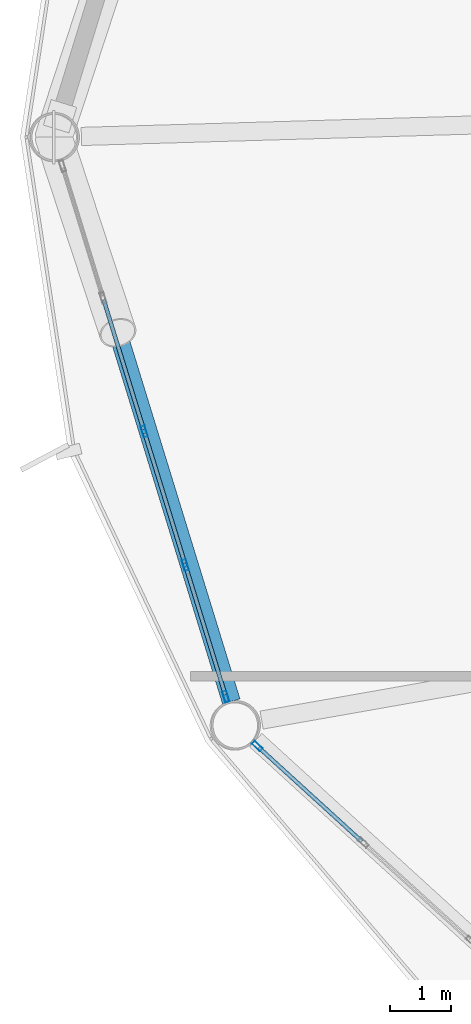
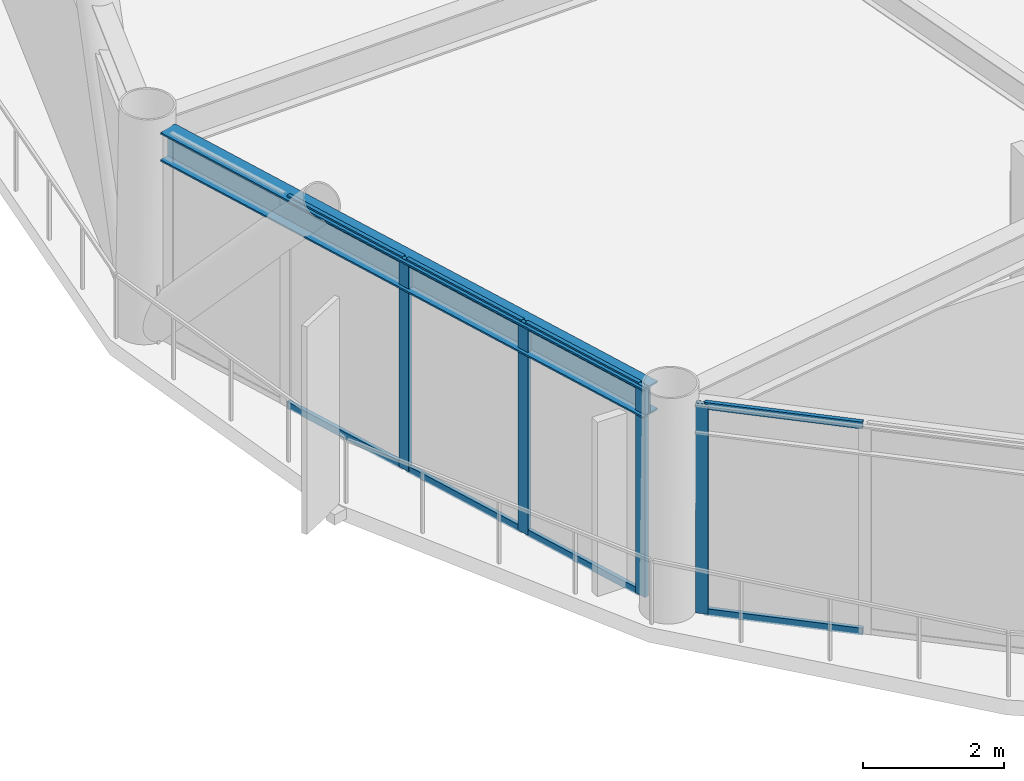
# One storey, part 4 of 24: 12 members, 1 beam, 2 elements without a shape of their own.
"""IFC4 building model written with IfcOpenShell, lengths in metres."""

from ifc_helpers import new_model, si_unit, direction, frame, origin, origin_2d, place, context, subcontext, project, spatial, hollow_rectangle, i_section, extrude, material, layer, layer_set, material_profile, profile_set, type_object, element, aggregate, save


model = new_model("IFC4")

# Units and contexts
model_context = context("Model", 3, precision=1e-05, world=origin(), true_north=direction((0.0, 1.0)))
body_context = subcontext(model_context, "Body", "Model", "MODEL_VIEW")
ifc_project = project(units=[si_unit("LENGTHUNIT", "METRE"), si_unit("AREAUNIT", "SQUARE_METRE"), si_unit("VOLUMEUNIT", "CUBIC_METRE"), si_unit("PLANEANGLEUNIT", "RADIAN"), si_unit("MASSUNIT", "GRAM", prefix="KILO")], contexts=[model_context])

# Site, building, storey
site_placement = place(None, origin())
site = spatial("IfcSite", under=ifc_project, at=site_placement, CompositionType="ELEMENT")
building_placement = place(site_placement, origin())
building = spatial("IfcBuilding", under=site, at=building_placement, Name="Varnakorn Sky Granary", CompositionType="ELEMENT")
storey_placement = place(building_placement, frame((0.0, 0.0, 111.0)))
storey = spatial("IfcBuildingStorey", under=building, at=storey_placement, Name="L27", CompositionType="ELEMENT", Elevation=111.0)

# Beam
ifc_material_1 = material(Name="Steel S355JR", Category="steel")
ifc_material_profile_1 = material_profile(ifc_material_1, i_section(OverallWidth=0.300048828125, OverallDepth=0.5, WebThickness=0.014404296875, FlangeThickness=0.028076171875, at=origin_2d()), Name="HE 500 B")
ifc_profile_set_1 = profile_set([ifc_material_profile_1], Name="Steel S355JR")
beam_type = type_object("IfcBeamType", Name="BM-SPD-Z2", PredefinedType="SPANDREL", material=ifc_profile_set_1)
beam_placement = place(storey_placement, frame((-22.767822265625, -0.374267578125, 3.389892578125), z_axis=(0.294074847193, -0.955782393774, 0.0), x_axis=(0.955782393774, 0.294074847193, 0.0)))
element("IfcBeam", 1, at=beam_placement, inside=storey, type_object=beam_type, Name="Perimeter Spandrel Ring Beam RB07 L27", PredefinedType="SPANDREL", context=body_context, shape_type="SweptSolid", body=[
    extrude(i_section(OverallWidth=0.300048828125, OverallDepth=0.5, WebThickness=0.014404296875, FlangeThickness=0.028076171875, at=origin_2d()), origin(), (0.0, 0.0, 1.0), 9.3564453125),
])

# Curtain wall, members
ifc_material_2 = material(Name="Anodised Bronze Aluminium Alloy 6063-T6", Category="aluminium")
ifc_layer = layer(ifc_material_2, 0.179931640625, Name="Anodised Bronze Aluminium Alloy 6063-T6")
ifc_layer_set = layer_set([ifc_layer], Name="Anodised Bronze Aluminium Alloy 6063-T6")
curtain_wall_type = type_object("IfcCurtainWallType", Name="CW-FRM-2", PredefinedType="USERDEFINED", material=ifc_layer_set)
curtain_wall_1_placement = place(storey_placement, origin())
curtain_wall_1 = element("IfcCurtainWall", 2, at=curtain_wall_1_placement, inside=storey, type_object=curtain_wall_type, Name="Unitised Curtain Wall CW4 CW-L27-B07", ObjectType="CURTAIN WALL", PredefinedType="USERDEFINED")
ifc_material_profile_2 = material_profile(ifc_material_2, hollow_rectangle(XDim=0.070068359375, YDim=0.18505859375, WallThickness=0.00390625, at=origin_2d()), Name="ALU MULL 70x185")
ifc_profile_set_2 = profile_set([ifc_material_profile_2], Name="Anodised Bronze Aluminium Alloy 6063-T6")
member_type_1 = type_object("IfcMemberType", Name="CW-FRM-2-MULL", PredefinedType="MULLION", material=ifc_profile_set_2)
member_1_placement = place(storey_placement, frame((-20.10693359375, -9.2353515625, 0.0), z_axis=(0.0, 0.0, 1.0), x_axis=(-0.955737543089, -0.294220578361, 0.0)))
member_1 = element("IfcMember", 3, at=member_1_placement, type_object=member_type_1, Name="CW4 mullion 1", PredefinedType="MULLION", context=body_context, shape_type="SweptSolid", body=[
    extrude(hollow_rectangle(XDim=0.070068359375, YDim=0.18505859375, WallThickness=0.00390625, at=origin_2d()), origin(), (0.0, 0.0, 1.0), 3.639892578125),
])
member_2_placement = place(storey_placement, frame((-20.775634765625, -7.06298828125, 0.0), z_axis=(0.0, 0.0, 1.0), x_axis=(-0.955737543089, -0.294220578361, 0.0)))
member_2 = element("IfcMember", 4, at=member_2_placement, type_object=member_type_1, Name="CW4 mullion 2", PredefinedType="MULLION", context=body_context, shape_type="SweptSolid", body=[
    extrude(hollow_rectangle(XDim=0.070068359375, YDim=0.18505859375, WallThickness=0.00390625, at=origin_2d()), origin(), (0.0, 0.0, 1.0), 3.639892578125),
])
member_3_placement = place(storey_placement, frame((-21.45458984375, -4.857177734375, 0.0), z_axis=(0.0, 0.0, 1.0), x_axis=(-0.955737543089, -0.294220578361, 0.0)))
member_3 = element("IfcMember", 5, at=member_3_placement, type_object=member_type_1, Name="CW4 mullion 3", PredefinedType="MULLION", context=body_context, shape_type="SweptSolid", body=[
    extrude(hollow_rectangle(XDim=0.070068359375, YDim=0.18505859375, WallThickness=0.00390625, at=origin_2d()), origin(), (0.0, 0.0, 1.0), 3.639892578125),
])

# Curtain wall, member
curtain_wall_2_placement = place(storey_placement, origin())
curtain_wall_2 = element("IfcCurtainWall", 6, at=curtain_wall_2_placement, inside=storey, type_object=curtain_wall_type, Name="Unitised Curtain Wall CW4 CW-L27-B08", ObjectType="CURTAIN WALL", PredefinedType="USERDEFINED")
member_4_placement = place(storey_placement, frame((-19.588623046875, -10.052490234375, 0.0), z_axis=(0.0, 0.0, 1.0), x_axis=(-0.673654386152, -0.739046526287, 0.0)))
member_4 = element("IfcMember", 7, at=member_4_placement, type_object=member_type_1, Name="CW4 mullion 5", PredefinedType="MULLION", context=body_context, shape_type="SweptSolid", body=[
    extrude(hollow_rectangle(XDim=0.070068359375, YDim=0.18505859375, WallThickness=0.00390625, at=origin_2d()), origin(), (0.0, 0.0, 1.0), 3.639892578125),
])

# Member
ifc_material_profile_3 = material_profile(ifc_material_2, hollow_rectangle(XDim=0.06494140625, YDim=0.1201171875, WallThickness=0.00341796875, at=origin_2d()), Name="ALU TRAN 65x120")
ifc_profile_set_3 = profile_set([ifc_material_profile_3], Name="Anodised Bronze Aluminium Alloy 6063-T6")
member_type_2 = type_object("IfcMemberType", Name="CW-FRM-2-TRAN", PredefinedType="USERDEFINED", material=ifc_profile_set_3)
member_5_placement = place(storey_placement, frame((-20.1171875, -9.201904296875, 0.032470703125), z_axis=(-0.294233808363, 0.955733470177, 0.0), x_axis=(-0.955733470177, -0.294233808363, 0.0)))
member_5 = element("IfcMember", 8, at=member_5_placement, type_object=member_type_2, Name="CW4 transom 1.1", ObjectType="TRANSOM", PredefinedType="USERDEFINED", context=body_context, shape_type="SweptSolid", body=[
    extrude(hollow_rectangle(XDim=0.06494140625, YDim=0.1201171875, WallThickness=0.00341796875, at=origin_2d()), origin(), (0.0, 0.0, 1.0), 2.202880859375),
])

member_6_placement = place(storey_placement, frame((-20.1171875, -9.201904296875, 3.607421875), z_axis=(-0.294233808363, 0.955733470177, 0.0), x_axis=(-0.955733470177, -0.294233808363, 0.0)))
member_6 = element("IfcMember", 9, at=member_6_placement, type_object=member_type_2, Name="CW4 transom 1.2", ObjectType="TRANSOM", PredefinedType="USERDEFINED", context=body_context, shape_type="SweptSolid", body=[
    extrude(hollow_rectangle(XDim=0.06494140625, YDim=0.1201171875, WallThickness=0.00341796875, at=origin_2d()), origin(), (0.0, 0.0, 1.0), 2.202880859375),
])

member_7_placement = place(storey_placement, frame((-20.785888671875, -7.029541015625, 0.032470703125), z_axis=(-0.294216164621, 0.955738901832, 0.0), x_axis=(-0.955738901832, -0.294216164621, 0.0)))
member_7 = element("IfcMember", 10, at=member_7_placement, type_object=member_type_2, Name="CW4 transom 2.1", ObjectType="TRANSOM", PredefinedType="USERDEFINED", context=body_context, shape_type="SweptSolid", body=[
    extrude(hollow_rectangle(XDim=0.06494140625, YDim=0.1201171875, WallThickness=0.00341796875, at=origin_2d()), origin(), (0.0, 0.0, 1.0), 2.238037109375),
])

member_8_placement = place(storey_placement, frame((-20.785888671875, -7.029541015625, 3.607421875), z_axis=(-0.294216164621, 0.955738901832, 0.0), x_axis=(-0.955738901832, -0.294216164621, 0.0)))
member_8 = element("IfcMember", 11, at=member_8_placement, type_object=member_type_2, Name="CW4 transom 2.2", ObjectType="TRANSOM", PredefinedType="USERDEFINED", context=body_context, shape_type="SweptSolid", body=[
    extrude(hollow_rectangle(XDim=0.06494140625, YDim=0.1201171875, WallThickness=0.00341796875, at=origin_2d()), origin(), (0.0, 0.0, 1.0), 2.238037109375),
])

member_9_placement = place(storey_placement, frame((-21.46484375, -4.82373046875, 0.032470703125), z_axis=(-0.294246843148, 0.955729457167, 0.0), x_axis=(-0.955729457167, -0.294246843148, 0.0)))
member_9 = element("IfcMember", 12, at=member_9_placement, type_object=member_type_2, Name="CW4 transom 3.1", ObjectType="TRANSOM", PredefinedType="USERDEFINED", context=body_context, shape_type="SweptSolid", body=[
    extrude(hollow_rectangle(XDim=0.06494140625, YDim=0.1201171875, WallThickness=0.00341796875, at=origin_2d()), origin(), (0.0, 0.0, 1.0), 2.23779296875),
])

member_10_placement = place(storey_placement, frame((-21.46484375, -4.82373046875, 3.607421875), z_axis=(-0.294246843148, 0.955729457167, 0.0), x_axis=(-0.955729457167, -0.294246843148, 0.0)))
member_10 = element("IfcMember", 13, at=member_10_placement, type_object=member_type_2, Name="CW4 transom 3.2", ObjectType="TRANSOM", PredefinedType="USERDEFINED", context=body_context, shape_type="SweptSolid", body=[
    extrude(hollow_rectangle(XDim=0.06494140625, YDim=0.1201171875, WallThickness=0.00341796875, at=origin_2d()), origin(), (0.0, 0.0, 1.0), 2.23779296875),
])

aggregate(curtain_wall_1, [member_1, member_2, member_3, member_5, member_6, member_7, member_8, member_9, member_10])

member_11_placement = place(storey_placement, frame((-17.8623046875, -11.6259765625, 0.032470703125), z_axis=(-0.739031973261, 0.673670351506, 0.0), x_axis=(-0.673670351506, -0.739031973261, 0.0)))
member_11 = element("IfcMember", 14, at=member_11_placement, type_object=member_type_2, Name="CW4 transom 4.1", ObjectType="TRANSOM", PredefinedType="USERDEFINED", context=body_context, shape_type="SweptSolid", body=[
    extrude(hollow_rectangle(XDim=0.06494140625, YDim=0.1201171875, WallThickness=0.00341796875, at=origin_2d()), origin(), (0.0, 0.0, 1.0), 2.30078125),
])

member_12_placement = place(storey_placement, frame((-17.8623046875, -11.6259765625, 3.607421875), z_axis=(-0.739031973261, 0.673670351506, 0.0), x_axis=(-0.673670351506, -0.739031973261, 0.0)))
member_12 = element("IfcMember", 15, at=member_12_placement, type_object=member_type_2, Name="CW4 transom 4.2", ObjectType="TRANSOM", PredefinedType="USERDEFINED", context=body_context, shape_type="SweptSolid", body=[
    extrude(hollow_rectangle(XDim=0.06494140625, YDim=0.1201171875, WallThickness=0.00341796875, at=origin_2d()), origin(), (0.0, 0.0, 1.0), 2.30078125),
])

aggregate(curtain_wall_2, [member_4, member_11, member_12])

save(model, "model.ifc")
